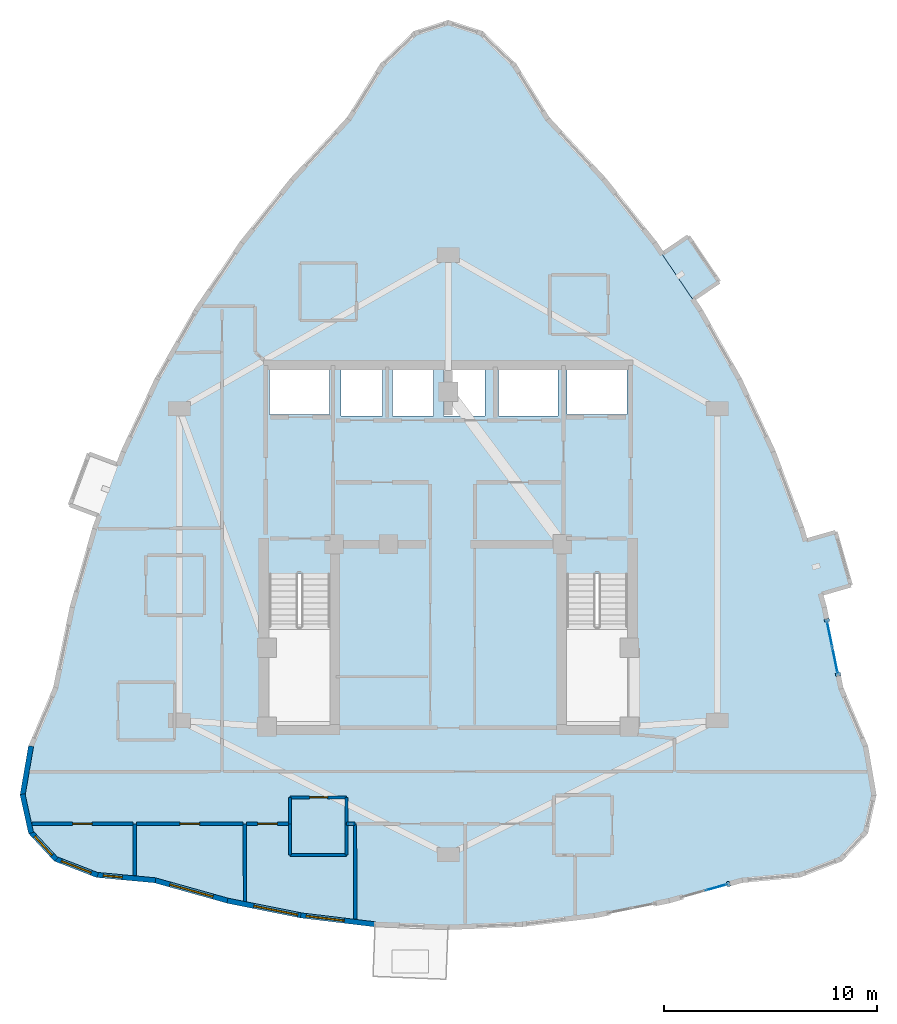
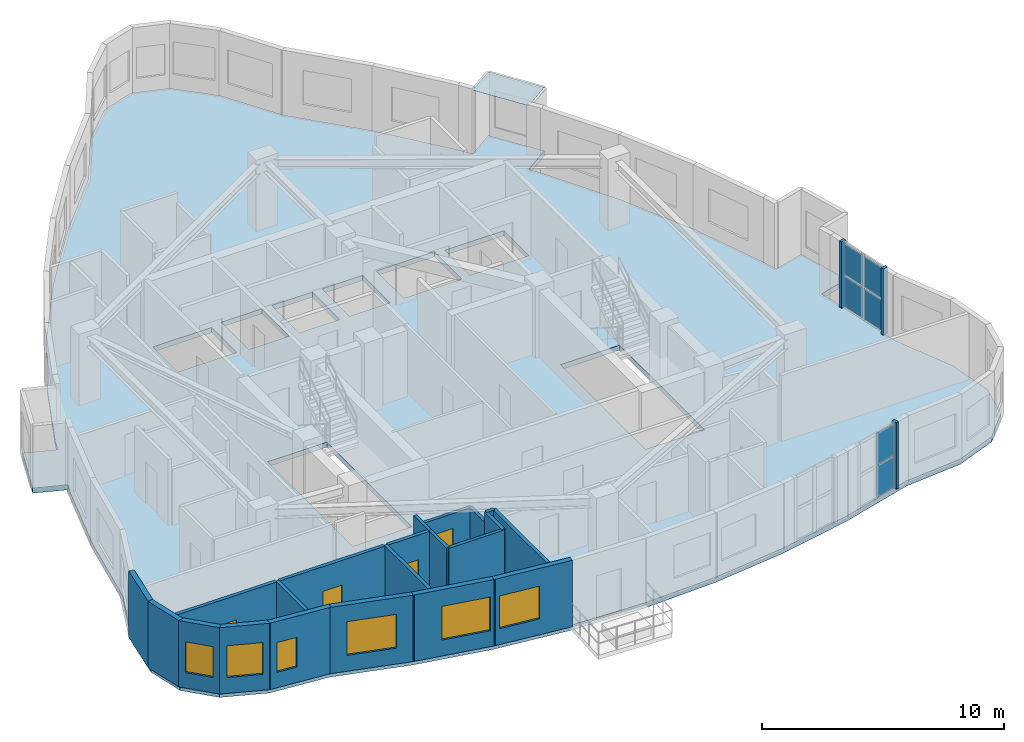
# One storey, part 9 of 15: 21 walls, 10 plates, 6 windows, 4 doors, 1 slab, 10 openings, 2 elements without a shape of their own.
"""IFC4 building model written with IfcOpenShell, lengths in metres."""

from ifc_helpers import new_model, si_unit, direction, frame, frame_2d, origin, origin_2d, place, context, subcontext, project, spatial, polyline, rectangle, outline, extrude, material, layer, layer_set, type_object, element, fill, aggregate, save


model = new_model("IFC4")

# Units and contexts
model_context = context("Model", 3, precision=1e-05, world=origin(), true_north=direction((0.0, 1.0)))
body_context = subcontext(model_context, "Body", "Model", "MODEL_VIEW")
ifc_project = project(units=[si_unit("LENGTHUNIT", "METRE"), si_unit("AREAUNIT", "SQUARE_METRE"), si_unit("VOLUMEUNIT", "CUBIC_METRE"), si_unit("PLANEANGLEUNIT", "RADIAN"), si_unit("MASSUNIT", "GRAM", prefix="KILO")], contexts=[model_context])

# Site, building, storey
site_placement = place(None, origin())
site = spatial("IfcSite", under=ifc_project, at=site_placement, CompositionType="ELEMENT")
building_placement = place(site_placement, origin())
building = spatial("IfcBuilding", under=site, at=building_placement, Name="Miruveldt Soraemaru", CompositionType="ELEMENT")
storey_placement = place(building_placement, frame((0.0, 0.0, 234.0)))
storey = spatial("IfcBuildingStorey", under=building, at=storey_placement, Name="L64", CompositionType="ELEMENT", Elevation=234.0)

# Curtain wall, plates
ifc_material_1 = material(Name="Anodised aluminium EN AW-6063 T6", Category="aluminium")
ifc_layer_1 = layer(ifc_material_1, 0.199951171875, Name="Anodised aluminium EN AW-6063 T6", Category="aluminium")
ifc_layer_set_1 = layer_set([ifc_layer_1], Name="Anodised aluminium EN AW-6063 T6")
curtain_wall_type = type_object("IfcCurtainWallType", Name="CW-SYS-3", PredefinedType="USERDEFINED", material=ifc_layer_set_1)
curtain_wall_1_placement = place(storey_placement, origin())
curtain_wall_1 = element("IfcCurtainWall", 1, at=curtain_wall_1_placement, inside=storey, type_object=curtain_wall_type, Name="L64 Curtain Wall Bay 28", ObjectType="UNITISED GLAZING", PredefinedType="USERDEFINED")
ifc_material_2 = material(Name="Triple low-e insulated glazing", Category="glass")
ifc_layer_2 = layer(ifc_material_2, 0.030029296875, Name="Triple low-e insulated glazing", Category="glass")
ifc_layer_set_2 = layer_set([ifc_layer_2], Name="Triple low-e insulated glazing")
plate_type_1 = type_object("IfcPlateType", Name="CWP-3", PredefinedType="CURTAIN_PANEL", material=ifc_layer_set_2)
plate_1_placement = place(storey_placement, frame((56.56298828125, 27.970947265625, 0.070068359375), z_axis=(0.0, 0.0, 1.0), x_axis=(0.962973169394, 0.269597245955, 0.0)))
plate_1 = element("IfcPlate", 2, at=plate_1_placement, type_object=plate_type_1, Name="CW-3 panel 2.1", PredefinedType="CURTAIN_PANEL", context=body_context, shape_type="SweptSolid", body=[
    extrude(rectangle(XDim=1.030029296875, YDim=0.030029296875, at=origin_2d()), origin(), (0.0, 0.0, 1.0), 1.5673828125),
])
plate_2_placement = place(storey_placement, frame((56.56298828125, 27.970947265625, 1.70751953125), z_axis=(0.0, 0.0, 1.0), x_axis=(0.962973169394, 0.269597245955, 0.0)))
plate_2 = element("IfcPlate", 3, at=plate_2_placement, type_object=plate_type_1, Name="CW-3 panel 2.2", PredefinedType="CURTAIN_PANEL", context=body_context, shape_type="SweptSolid", body=[
    extrude(rectangle(XDim=1.030029296875, YDim=0.030029296875, at=origin_2d()), origin(), (0.0, 0.0, 1.0), 1.5673828125),
])
aggregate(curtain_wall_1, [plate_1, plate_2])

curtain_wall_2_placement = place(storey_placement, origin())
curtain_wall_2 = element("IfcCurtainWall", 4, at=curtain_wall_2_placement, inside=storey, type_object=curtain_wall_type, Name="L64 Curtain Wall Bay 35", ObjectType="UNITISED GLAZING", PredefinedType="USERDEFINED")
plate_3_placement = place(storey_placement, frame((62.129150390625, 38.59814453125, 0.070068359375), z_axis=(0.0, 0.0, 1.0), x_axis=(-0.201580097948, 0.979472033348, 0.0)))
plate_3 = element("IfcPlate", 5, at=plate_3_placement, type_object=plate_type_1, Name="CW-3 panel 1.1", PredefinedType="CURTAIN_PANEL", context=body_context, shape_type="SweptSolid", body=[
    extrude(rectangle(XDim=1.193115234375, YDim=0.030029296875, at=origin_2d()), origin(), (0.0, 0.0, 1.0), 1.5673828125),
])
plate_4_placement = place(storey_placement, frame((62.129150390625, 38.59814453125, 1.70751953125), z_axis=(0.0, 0.0, 1.0), x_axis=(-0.201580097948, 0.979472033348, 0.0)))
plate_4 = element("IfcPlate", 6, at=plate_4_placement, type_object=plate_type_1, Name="CW-3 panel 1.2", PredefinedType="CURTAIN_PANEL", context=body_context, shape_type="SweptSolid", body=[
    extrude(rectangle(XDim=1.193115234375, YDim=0.030029296875, at=origin_2d()), origin(), (0.0, 0.0, 1.0), 1.5673828125),
])
plate_5_placement = place(storey_placement, frame((61.87451171875, 39.835205078125, 0.070068359375), z_axis=(0.0, 0.0, 1.0), x_axis=(-0.201580097948, 0.979472033348, 0.0)))
plate_5 = element("IfcPlate", 7, at=plate_5_placement, type_object=plate_type_1, Name="CW-3 panel 2.1", PredefinedType="CURTAIN_PANEL", context=body_context, shape_type="SweptSolid", body=[
    extrude(rectangle(XDim=1.193115234375, YDim=0.030029296875, at=origin_2d()), origin(), (0.0, 0.0, 1.0), 1.5673828125),
])
plate_6_placement = place(storey_placement, frame((61.87451171875, 39.835205078125, 1.70751953125), z_axis=(0.0, 0.0, 1.0), x_axis=(-0.201580097948, 0.979472033348, 0.0)))
plate_6 = element("IfcPlate", 8, at=plate_6_placement, type_object=plate_type_1, Name="CW-3 panel 2.2", PredefinedType="CURTAIN_PANEL", context=body_context, shape_type="SweptSolid", body=[
    extrude(rectangle(XDim=1.193115234375, YDim=0.030029296875, at=origin_2d()), origin(), (0.0, 0.0, 1.0), 1.5673828125),
])
aggregate(curtain_wall_2, [plate_3, plate_4, plate_5, plate_6])

# Plates
ifc_layer_3 = layer(ifc_material_1, 0.030029296875, Name="Anodised aluminium EN AW-6063 T6", Category="aluminium")
ifc_layer_set_3 = layer_set([ifc_layer_3], Name="Anodised aluminium EN AW-6063 T6")
plate_type_2 = type_object("IfcPlateType", Name="PLT-JAMB-30", PredefinedType="SHEET", material=ifc_layer_set_3)
for number, where, z_axis, x_axis, name in (
    (9, (57.12646484375, 28.128662109375, 0.0), (0.0, 0.0, 1.0), (0.962965179516, 0.269625783338, 0.0), "L64 Curtain Wall Jamb Closure Trim 28JR"),
    (10, (62.263427734375, 37.9453125, 0.0), (0.0, 0.0, 1.0), (-0.201573702956, 0.979473349447, 0.0), "L64 Curtain Wall Jamb Closure Trim 35JL"),
    (11, (61.740234375, 40.488037109375, 0.0), (0.0, 0.0, 1.0), (-0.201573702956, 0.979473349447, 0.0), "L64 Curtain Wall Jamb Closure Trim 35JR"),
):
    element("IfcPlate", number, at=place(storey_placement, frame(where, z_axis=z_axis, x_axis=x_axis)), inside=storey, type_object=plate_type_2, Name=name, PredefinedType="SHEET", context=body_context, shape_type="SweptSolid", body=[
        extrude(rectangle(XDim=0.139892578125, YDim=0.239990234375, at=origin_2d()), origin(), (0.0, 0.0, 1.0), 3.344970703125),
    ])
ifc_material_3 = material(Name="Standing-seam titanium-zinc sheet", Category="aluminium")
ifc_layer_4 = layer(ifc_material_3, 0.011962890625, Name="Standing-seam titanium-zinc sheet", Category="aluminium")
ifc_layer_set_4 = layer_set([ifc_layer_4], Name="Standing-seam titanium-zinc sheet")
plate_type_3 = type_object("IfcPlateType", Name="PLT-ZINC-12", PredefinedType="SHEET", material=ifc_layer_set_4)
plate_7_placement = place(storey_placement, frame((0.0, 0.0, 3.195068359375)))
element("IfcPlate", 12, at=plate_7_placement, inside=storey, type_object=plate_type_3, Name="L64 Bay Window Zinc Hood Sheet 2", PredefinedType="SHEET", context=body_context, shape_type="SweptSolid", body=[
    extrude(outline(polyline([(55.4609375, 55.5146484375), (54.019775390625, 57.642333984375), (55.2451171875, 58.472412109375), (56.686279296875, 56.3447265625), (55.4609375, 55.5146484375)])), origin(), (0.0, 0.0, 1.0), 0.011962890625),
])

# Slab
ifc_material_4 = material(Name="Concrete C40/50 (40 MPa)", Category="concrete")
ifc_layer_5 = layer(ifc_material_4, 0.2548828125, Name="Concrete C40/50 (40 MPa)", Category="concrete")
ifc_layer_set_5 = layer_set([ifc_layer_5], Name="Concrete C40/50 (40 MPa)")
slab_type = type_object("IfcSlabType", Name="SLAB-RES3-255", PredefinedType="FLOOR", material=ifc_layer_set_5)
slab_placement = place(storey_placement, frame((0.0, 0.0, -0.2548828125)))
element("IfcSlab", 13, at=slab_placement, inside=storey, type_object=slab_type, Name="L64 Structural Floor Slab", PredefinedType="FLOOR", context=body_context, shape_type="SweptSolid", body=[
    extrude(outline(polyline([(62.1484375, 44.62109375), (62.86328125, 42.121337890625), (61.4404296875, 41.71435546875), (61.609130859375, 41.124755859375), (62.39453125, 37.30859375), (63.554931640625, 34.55712890625), (63.941650390625, 32.30615234375), (63.554931640625, 30.55517578125), (62.39453125, 29.304443359375), (60.46044921875, 28.55419921875), (57.752685546875, 28.303955078125), (54.314453125, 27.34130859375), (50.876220703125, 26.65380859375), (47.438232421875, 26.2412109375), (44.0, 26.103515625), (40.561767578125, 26.2412109375), (37.123779296875, 26.65380859375), (33.685546875, 27.34130859375), (30.247314453125, 28.303955078125), (27.53955078125, 28.55419921875), (25.60546875, 29.304443359375), (24.445068359375, 30.55517578125), (24.058349609375, 32.30615234375), (24.445068359375, 34.55712890625), (25.60546875, 37.30859375), (26.390869140625, 41.124755859375), (27.443115234375, 44.803466796875), (28.1025390625, 46.57421875), (27.65380859375, 45.369873046875), (26.26708984375, 45.886474609375), (27.1640625, 48.294921875), (28.55078125, 47.7783203125), (28.761962890625, 48.344482421875), (30.34765625, 51.748291015625), (32.199951171875, 55.014404296875), (34.3193359375, 58.142822265625), (36.705322265625, 61.1337890625), (39.358154296875, 63.9873046875), (40.905517578125, 66.48876953125), (42.45263671875, 67.989501953125), (44.0, 68.48974609375), (45.54736328125, 67.989501953125), (47.094482421875, 66.48876953125), (48.641845703125, 63.9873046875), (51.294677734375, 61.1337890625), (53.6806640625, 58.142822265625), (54.740234375, 56.57861328125), (54.019775390625, 57.642333984375), (55.2451171875, 58.472412109375), (56.686279296875, 56.3447265625), (55.4609375, 55.5146484375), (55.800048828125, 55.014404296875), (57.65234375, 51.748291015625), (59.238037109375, 48.344482421875), (60.556884765625, 44.803466796875), (60.7255859375, 44.214111328125), (62.1484375, 44.62109375)]), holes=[polyline([(35.614990234375, 35.6650390625), (38.43505859375, 35.6650390625), (38.43505859375, 42.68505859375), (35.614990234375, 42.68505859375), (35.614990234375, 35.6650390625)]), polyline([(49.56494140625, 35.6650390625), (52.385009765625, 35.6650390625), (52.385009765625, 42.68505859375), (49.56494140625, 42.68505859375), (49.56494140625, 35.6650390625)]), polyline([(38.445068359375, 50.135009765625), (38.445068359375, 52.205078125), (35.635009765625, 52.205078125), (35.635009765625, 50.135009765625), (38.445068359375, 50.135009765625)]), polyline([(52.364990234375, 50.135009765625), (52.364990234375, 52.205078125), (49.554931640625, 52.205078125), (49.554931640625, 50.135009765625), (52.364990234375, 50.135009765625)]), polyline([(40.9150390625, 50.06494140625), (40.9150390625, 52.3349609375), (38.985107421875, 52.3349609375), (38.985107421875, 50.06494140625), (40.9150390625, 50.06494140625)]), polyline([(43.31494140625, 50.06494140625), (43.31494140625, 52.3349609375), (41.385009765625, 52.3349609375), (41.385009765625, 50.06494140625), (43.31494140625, 50.06494140625)]), polyline([(45.715087890625, 50.06494140625), (45.715087890625, 52.3349609375), (43.784912109375, 52.3349609375), (43.784912109375, 50.06494140625), (45.715087890625, 50.06494140625)]), polyline([(49.135009765625, 50.06494140625), (49.135009765625, 52.3349609375), (46.364990234375, 52.3349609375), (46.364990234375, 50.06494140625), (49.135009765625, 50.06494140625)])]), origin(), (0.0, 0.0, 1.0), 0.2548828125),
])

# Walls
ifc_material_5 = material(Name="Precast concrete C45/55 (45 MPa)", Category="concrete")
ifc_layer_6 = layer(ifc_material_5, 0.239990234375, Name="Precast concrete C45/55 (45 MPa)", Category="concrete")
ifc_layer_set_6 = layer_set([ifc_layer_6], Name="Precast concrete C45/55 (45 MPa)")
wall_type_1 = type_object("IfcWallType", Name="WALL-EXT-PC240", PredefinedType="SOLIDWALL", material=ifc_layer_set_6)
wall_1_placement = place(storey_placement, frame((24.450927734375, 34.591796875, 0.0), z_axis=(0.0, 0.0, 1.0), x_axis=(-0.169240125324, -0.985574847477, 0.0)))
element("IfcWall", 14, at=wall_1_placement, inside=storey, type_object=wall_type_1, Name="L64 Precast Concrete Facade Wall 16", PredefinedType="SOLIDWALL", context=body_context, shape_type="SweptSolid", body=[
    extrude(rectangle(XDim=2.354248046875, YDim=0.239990234375, at=frame_2d((1.17724609375, 0.0))), origin(), (0.0, 0.0, 1.0), 3.344970703125),
])
wall_2_placement = place(storey_placement, frame((24.05078125, 32.34033203125, 0.0), z_axis=(0.0, 0.0, 1.0), x_axis=(0.215681605484, -0.976463744875, 0.0)))
element("IfcWall", 15, at=wall_2_placement, inside=storey, type_object=wall_type_1, Name="L64 Precast Concrete Facade Wall 17", PredefinedType="SOLIDWALL", context=body_context, shape_type="SweptSolid", body=[
    extrude(rectangle(XDim=1.86328125, YDim=0.239990234375, at=frame_2d((0.931640625, 0.0))), origin(), (0.0, 0.0, 1.0), 3.344970703125),
])

# Wall, opening, window
wall_3_placement = place(storey_placement, frame((24.42138671875, 30.580810546875, 0.0), z_axis=(0.0, 0.0, 1.0), x_axis=(0.680150513849, -0.733072491989, 0.0)))
wall_3 = element("IfcWall", 16, at=wall_3_placement, inside=storey, type_object=wall_type_1, Name="L64 Precast Concrete Facade Wall 18", PredefinedType="SOLIDWALL", context=body_context, shape_type="SweptSolid", body=[
    extrude(rectangle(XDim=1.776123046875, YDim=0.239990234375, at=frame_2d((0.88818359375, 0.0))), origin(), (0.0, 0.0, 1.0), 3.344970703125),
])
opening_1_placement = place(wall_3_placement, frame((0.29296875, 0.0, 0.780029296875)))
opening_1 = element("IfcOpeningElement", 17, at=opening_1_placement, cuts=wall_3, Name="Opening WN-4", PredefinedType="OPENING", context=body_context, shape_type="SweptSolid", body=[
    extrude(rectangle(XDim=1.199951171875, YDim=1.550048828125, at=frame_2d((0.60009765625, 0.77490234375))), frame((0.0, 0.1298828125, 0.0), z_axis=(0.0, -1.0, 0.0), x_axis=(1.0, 0.0, 0.0)), (0.0, 0.0, 1.0), 0.260009765625),
])
window_type_1 = type_object("IfcWindowType", Name="WIN-PUNCH-1200x1550", PartitioningType="SINGLE_PANEL", PredefinedType="WINDOW", material=ifc_material_2)
window_1_placement = place(opening_1_placement, origin())
window_1 = element("IfcWindow", 18, at=window_1_placement, inside=storey, type_object=window_type_1, Name="L64 Punched Triple-Glazed Window 18.1", OverallHeight=1.550048828125, OverallWidth=1.199951171875, PartitioningType="SINGLE_PANEL", PredefinedType="WINDOW", context=body_context, shape_type="SweptSolid", body=[
    extrude(rectangle(XDim=1.199951171875, YDim=1.550048828125, at=frame_2d((0.60009765625, 0.77490234375))), frame((0.0, 0.030029296875, 0.0), z_axis=(0.0, -1.0, 0.0), x_axis=(1.0, 0.0, 0.0)), (0.0, 0.0, 1.0), 0.06005859375),
])
fill(opening_1, window_1)

wall_4_placement = place(storey_placement, frame((25.572998046875, 29.317138671875, 0.0), z_axis=(0.0, 0.0, 1.0), x_axis=(0.932297074695, -0.361693467616, 0.0)))
wall_4 = element("IfcWall", 19, at=wall_4_placement, inside=storey, type_object=wall_type_1, Name="L64 Precast Concrete Facade Wall 19", PredefinedType="SOLIDWALL", context=body_context, shape_type="SweptSolid", body=[
    extrude(rectangle(XDim=2.14453125, YDim=0.239990234375, at=frame_2d((1.072265625, 0.0))), origin(), (0.0, 0.0, 1.0), 3.344970703125),
])
opening_2_placement = place(wall_4_placement, frame((0.322998046875, 0.0, 0.800048828125)))
opening_2 = element("IfcOpeningElement", 20, at=opening_2_placement, cuts=wall_4, Name="Opening WN-3", PredefinedType="OPENING", context=body_context, shape_type="SweptSolid", body=[
    extrude(rectangle(XDim=1.5, YDim=1.60009765625, at=frame_2d((0.75, 0.800048828125))), frame((0.0, 0.1298828125, 0.0), z_axis=(0.0, -1.0, 0.0), x_axis=(1.0, 0.0, 0.0)), (0.0, 0.0, 1.0), 0.260009765625),
])
window_type_2 = type_object("IfcWindowType", Name="WIN-PUNCH-1500x1600", PartitioningType="SINGLE_PANEL", PredefinedType="WINDOW", material=ifc_material_2)
window_2_placement = place(opening_2_placement, origin())
window_2 = element("IfcWindow", 21, at=window_2_placement, inside=storey, type_object=window_type_2, Name="L64 Punched Triple-Glazed Window 19.1", OverallHeight=1.60009765625, OverallWidth=1.5, PartitioningType="SINGLE_PANEL", PredefinedType="WINDOW", context=body_context, shape_type="SweptSolid", body=[
    extrude(rectangle(XDim=1.5, YDim=1.60009765625, at=frame_2d((0.75, 0.800048828125))), frame((0.0, 0.030029296875, 0.0), z_axis=(0.0, -1.0, 0.0), x_axis=(1.0, 0.0, 0.0)), (0.0, 0.0, 1.0), 0.06005859375),
])
fill(opening_2, window_2)

wall_5_placement = place(storey_placement, frame((27.504638671875, 28.557373046875, 0.0), z_axis=(0.0, 0.0, 1.0), x_axis=(0.995760144558, -0.09198768673, 0.0)))
wall_5 = element("IfcWall", 22, at=wall_5_placement, inside=storey, type_object=wall_type_1, Name="L64 Precast Concrete Facade Wall 20", PredefinedType="SOLIDWALL", context=body_context, shape_type="SweptSolid", body=[
    extrude(rectangle(XDim=2.789306640625, YDim=0.239990234375, at=frame_2d((1.39453125, 0.0))), origin(), (0.0, 0.0, 1.0), 3.344970703125),
])
opening_3_placement = place(wall_5_placement, frame((0.3291015625, 0.0, 0.780029296875)))
opening_3 = element("IfcOpeningElement", 23, at=opening_3_placement, cuts=wall_5, Name="Opening WN-7", PredefinedType="OPENING", context=body_context, shape_type="SweptSolid", body=[
    extrude(rectangle(XDim=0.89990234375, YDim=1.5, at=frame_2d((0.449951171875, 0.75))), frame((0.0, 0.1298828125, 0.0), z_axis=(0.0, -1.0, 0.0), x_axis=(1.0, 0.0, 0.0)), (0.0, 0.0, 1.0), 0.260009765625),
])
window_type_3 = type_object("IfcWindowType", Name="WIN-PUNCH-900x1500", PartitioningType="SINGLE_PANEL", PredefinedType="WINDOW", material=ifc_material_2)
window_3_placement = place(opening_3_placement, origin())
window_3 = element("IfcWindow", 24, at=window_3_placement, inside=storey, type_object=window_type_3, Name="L64 Punched Triple-Glazed Window 20.1", OverallHeight=1.5, OverallWidth=0.89990234375, PartitioningType="SINGLE_PANEL", PredefinedType="WINDOW", context=body_context, shape_type="SweptSolid", body=[
    extrude(rectangle(XDim=0.89990234375, YDim=1.5, at=frame_2d((0.449951171875, 0.75))), frame((0.0, 0.030029296875, 0.0), z_axis=(0.0, -1.0, 0.0), x_axis=(1.0, 0.0, 0.0)), (0.0, 0.0, 1.0), 0.06005859375),
])
fill(opening_3, window_3)

wall_6_placement = place(storey_placement, frame((30.213623046875, 28.3134765625, 0.0), z_axis=(0.0, 0.0, 1.0), x_axis=(0.962955661269, -0.26965977533, 0.0)))
wall_6 = element("IfcWall", 25, at=wall_6_placement, inside=storey, type_object=wall_type_1, Name="L64 Precast Concrete Facade Wall 21", PredefinedType="SOLIDWALL", context=body_context, shape_type="SweptSolid", body=[
    extrude(rectangle(XDim=3.640380859375, YDim=0.239990234375, at=frame_2d((1.8203125, 0.0))), origin(), (0.0, 0.0, 1.0), 3.344970703125),
])
opening_4_placement = place(wall_6_placement, frame((0.77001953125, 0.0, 0.800048828125)))
opening_4 = element("IfcOpeningElement", 26, at=opening_4_placement, cuts=wall_6, Name="Opening WN-1", PredefinedType="OPENING", context=body_context, shape_type="SweptSolid", body=[
    extrude(rectangle(XDim=2.10009765625, YDim=1.699951171875, at=frame_2d((1.050048828125, 0.85009765625))), frame((0.0, 0.1298828125, 0.0), z_axis=(0.0, -1.0, 0.0), x_axis=(1.0, 0.0, 0.0)), (0.0, 0.0, 1.0), 0.260009765625),
])
window_type_4 = type_object("IfcWindowType", Name="WIN-PUNCH-2100x1700", PartitioningType="SINGLE_PANEL", PredefinedType="WINDOW", material=ifc_material_2)
window_4_placement = place(opening_4_placement, origin())
window_4 = element("IfcWindow", 27, at=window_4_placement, inside=storey, type_object=window_type_4, Name="L64 Punched Triple-Glazed Window 21.1", OverallHeight=1.699951171875, OverallWidth=2.10009765625, PartitioningType="SINGLE_PANEL", PredefinedType="WINDOW", context=body_context, shape_type="SweptSolid", body=[
    extrude(rectangle(XDim=2.10009765625, YDim=1.699951171875, at=frame_2d((1.050048828125, 0.85009765625))), frame((0.0, 0.030029296875, 0.0), z_axis=(0.0, -1.0, 0.0), x_axis=(1.0, 0.0, 0.0)), (0.0, 0.0, 1.0), 0.06005859375),
])
fill(opening_4, window_4)

wall_7_placement = place(storey_placement, frame((33.651123046875, 27.34814453125, 0.0), z_axis=(0.0, 0.0, 1.0), x_axis=(0.980578049974, -0.196129263267, 0.0)))
wall_7 = element("IfcWall", 28, at=wall_7_placement, inside=storey, type_object=wall_type_1, Name="L64 Precast Concrete Facade Wall 22", PredefinedType="SOLIDWALL", context=body_context, shape_type="SweptSolid", body=[
    extrude(rectangle(XDim=3.576416015625, YDim=0.239990234375, at=frame_2d((1.7880859375, 0.0))), origin(), (0.0, 0.0, 1.0), 3.344970703125),
])
opening_5_placement = place(wall_7_placement, frame((1.26611328125, 0.0, 0.800048828125)))
opening_5 = element("IfcOpeningElement", 29, at=opening_5_placement, cuts=wall_7, Name="Opening WN-1", PredefinedType="OPENING", context=body_context, shape_type="SweptSolid", body=[
    extrude(rectangle(XDim=2.10009765625, YDim=1.699951171875, at=frame_2d((1.050048828125, 0.85009765625))), frame((0.0, 0.1298828125, 0.0), z_axis=(0.0, -1.0, 0.0), x_axis=(1.0, 0.0, 0.0)), (0.0, 0.0, 1.0), 0.260009765625),
])
window_5_placement = place(opening_5_placement, origin())
window_5 = element("IfcWindow", 30, at=window_5_placement, inside=storey, type_object=window_type_4, Name="L64 Punched Triple-Glazed Window 22.1", OverallHeight=1.699951171875, OverallWidth=2.10009765625, PartitioningType="SINGLE_PANEL", PredefinedType="WINDOW", context=body_context, shape_type="SweptSolid", body=[
    extrude(rectangle(XDim=2.10009765625, YDim=1.699951171875, at=frame_2d((1.050048828125, 0.85009765625))), frame((0.0, 0.030029296875, 0.0), z_axis=(0.0, -1.0, 0.0), x_axis=(1.0, 0.0, 0.0)), (0.0, 0.0, 1.0), 0.06005859375),
])
fill(opening_5, window_5)

wall_8_placement = place(storey_placement, frame((37.0888671875, 26.657958984375, 0.0), z_axis=(0.0, 0.0, 1.0), x_axis=(0.992869970149, -0.119202442825, 0.0)))
wall_8 = element("IfcWall", 31, at=wall_8_placement, inside=storey, type_object=wall_type_1, Name="L64 Precast Concrete Facade Wall 23", PredefinedType="SOLIDWALL", context=body_context, shape_type="SweptSolid", body=[
    extrude(rectangle(XDim=3.532958984375, YDim=0.239990234375, at=frame_2d((1.7666015625, 0.0))), origin(), (0.0, 0.0, 1.0), 3.344970703125),
])
opening_6_placement = place(wall_8_placement, frame((0.2548828125, 0.0, 0.800048828125)))
opening_6 = element("IfcOpeningElement", 32, at=opening_6_placement, cuts=wall_8, Name="Opening WN-2", PredefinedType="OPENING", context=body_context, shape_type="SweptSolid", body=[
    extrude(rectangle(XDim=1.800048828125, YDim=1.64990234375, at=frame_2d((0.89990234375, 0.824951171875))), frame((0.0, 0.1298828125, 0.0), z_axis=(0.0, -1.0, 0.0), x_axis=(1.0, 0.0, 0.0)), (0.0, 0.0, 1.0), 0.260009765625),
])
window_type_5 = type_object("IfcWindowType", Name="WIN-PUNCH-1800x1650", PartitioningType="SINGLE_PANEL", PredefinedType="WINDOW", material=ifc_material_2)
window_6_placement = place(opening_6_placement, origin())
window_6 = element("IfcWindow", 33, at=window_6_placement, inside=storey, type_object=window_type_5, Name="L64 Punched Triple-Glazed Window 23.1", OverallHeight=1.64990234375, OverallWidth=1.800048828125, PartitioningType="SINGLE_PANEL", PredefinedType="WINDOW", context=body_context, shape_type="SweptSolid", body=[
    extrude(rectangle(XDim=1.800048828125, YDim=1.64990234375, at=frame_2d((0.89990234375, 0.824951171875))), frame((0.0, 0.030029296875, 0.0), z_axis=(0.0, -1.0, 0.0), x_axis=(1.0, 0.0, 0.0)), (0.0, 0.0, 1.0), 0.06005859375),
])
fill(opening_6, window_6)

# Wall, opening, door
ifc_material_6 = material(Name="Gypsum plasterboard lining", Category="gypsum")
ifc_layer_7 = layer(ifc_material_6, 0.14990234375, Name="Gypsum plasterboard lining", Category="gypsum")
ifc_layer_set_7 = layer_set([ifc_layer_7], Name="Gypsum plasterboard lining")
wall_type_2 = type_object("IfcWallType", Name="WALL-INT-PLUMB", PredefinedType="PLUMBINGWALL", material=ifc_layer_set_7)
wall_9_placement = place(storey_placement, frame((39.238037109375, 32.18603515625, 0.0), z_axis=(0.0, 0.0, 1.0), x_axis=(-1.0, 0.0, 0.0)))
wall_9 = element("IfcWall", 34, at=wall_9_placement, inside=storey, type_object=wall_type_2, Name="L64 Partition Wall 12", PredefinedType="PLUMBINGWALL", context=body_context, shape_type="SweptSolid", body=[
    extrude(rectangle(XDim=2.650146484375, YDim=0.14990234375, at=frame_2d((1.3251953125, 0.0))), origin(), (0.0, 0.0, 1.0), 2.844970703125),
])
opening_7_placement = place(wall_9_placement, frame((0.885009765625, 0.0, 0.0)))
opening_7 = element("IfcOpeningElement", 35, at=opening_7_placement, cuts=wall_9, Name="Opening FD3", PredefinedType="OPENING", context=body_context, shape_type="SweptSolid", body=[
    extrude(rectangle(XDim=0.85009765625, YDim=2.10009765625, at=frame_2d((0.425048828125, 1.050048828125))), frame((0.0, 0.0849609375, 0.0), z_axis=(0.0, -1.0, 0.0), x_axis=(1.0, 0.0, 0.0)), (0.0, 0.0, 1.0), 0.169921875),
])
door_type_1 = type_object("IfcDoorType", Name="DOOR-FD3-850", OperationType="NOTDEFINED", PredefinedType="DOOR", material=ifc_material_1)
door_1_placement = place(opening_7_placement, origin())
door_1 = element("IfcDoor", 36, at=door_1_placement, inside=storey, type_object=door_type_1, Name="L64 Unit 6401 BTH Door", OperationType="SINGLE_SWING_LEFT", OverallHeight=2.10009765625, OverallWidth=0.85009765625, PredefinedType="DOOR", context=body_context, shape_type="SweptSolid", body=[
    extrude(rectangle(XDim=0.85009765625, YDim=2.10009765625, at=frame_2d((0.425048828125, 1.050048828125))), frame((0.0, 0.02490234375, 0.0), z_axis=(0.0, -1.0, 0.0), x_axis=(1.0, 0.0, 0.0)), (0.0, 0.0, 1.0), 0.050048828125),
])
fill(opening_7, door_1)

# Walls
wall_10_placement = place(storey_placement, frame((36.587890625, 29.486083984375, 0.0), z_axis=(0.0, 0.0, 1.0), x_axis=(1.0, 0.0, 0.0)))
element("IfcWall", 37, at=wall_10_placement, inside=storey, type_object=wall_type_2, Name="L64 Partition Wall 27", PredefinedType="PLUMBINGWALL", context=body_context, shape_type="SweptSolid", body=[
    extrude(rectangle(XDim=2.650146484375, YDim=0.14990234375, at=frame_2d((1.3251953125, 0.0))), origin(), (0.0, 0.0, 1.0), 3.344970703125),
])
for number, where, z_axis, x_axis, name in (
    (38, (36.587890625, 30.949951171875, 0.0), (0.0, 0.0, 1.0), (0.0, -1.0, 0.0), "L64 Partition Wall 26"),
    (39, (39.238037109375, 29.486083984375, 0.0), (0.0, 0.0, 1.0), (0.0, 1.0, 0.0), "L64 Partition Wall 28"),
):
    element("IfcWall", number, at=place(storey_placement, frame(where, z_axis=z_axis, x_axis=x_axis)), inside=storey, type_object=wall_type_2, Name=name, PredefinedType="PLUMBINGWALL", context=body_context, shape_type="SweptSolid", body=[
        extrude(rectangle(XDim=1.4638671875, YDim=0.14990234375, at=frame_2d((0.73193359375, 0.0))), origin(), (0.0, 0.0, 1.0), 3.344970703125),
    ])
wall_11_placement = place(storey_placement, frame((39.238037109375, 30.949951171875, 0.0), z_axis=(0.0, 0.0, 1.0), x_axis=(0.0, 1.0, 0.0)))
element("IfcWall", 40, at=wall_11_placement, inside=storey, type_object=wall_type_2, Name="L64 Partition Wall 11", PredefinedType="PLUMBINGWALL", context=body_context, shape_type="SweptSolid", body=[
    extrude(rectangle(XDim=1.236083984375, YDim=0.14990234375, at=frame_2d((0.6181640625, 0.0))), origin(), (0.0, 0.0, 1.0), 2.844970703125),
])
wall_12_placement = place(storey_placement, frame((36.587890625, 32.18603515625, 0.0), z_axis=(0.0, 0.0, 1.0), x_axis=(0.0, -1.0, 0.0)))
element("IfcWall", 41, at=wall_12_placement, inside=storey, type_object=wall_type_2, Name="L64 Partition Wall 13", PredefinedType="PLUMBINGWALL", context=body_context, shape_type="SweptSolid", body=[
    extrude(rectangle(XDim=1.236083984375, YDim=0.14990234375, at=frame_2d((0.6181640625, 0.0))), origin(), (0.0, 0.0, 1.0), 3.344970703125),
])

# Wall, opening, door
ifc_layer_8 = layer(ifc_material_4, 0.159912109375, Name="Concrete C40/50 (40 MPa)", Category="concrete")
ifc_layer_set_8 = layer_set([ifc_layer_8], Name="Concrete C40/50 (40 MPa)")
wall_type_3 = type_object("IfcWallType", Name="WALL-INT-RC160", PredefinedType="SOLIDWALL", material=ifc_layer_set_8)
wall_13_placement = place(storey_placement, frame((29.383056640625, 30.949951171875, 0.0), z_axis=(0.0, 0.0, 1.0), x_axis=(1.0, 0.0, 0.0)))
wall_13 = element("IfcWall", 42, at=wall_13_placement, inside=storey, type_object=wall_type_3, Name="L64 Partition Wall 19", PredefinedType="SOLIDWALL", context=body_context, shape_type="SweptSolid", body=[
    extrude(rectangle(XDim=5.00390625, YDim=0.159912109375, at=frame_2d((2.501953125, 0.0))), origin(), (0.0, 0.0, 1.0), 3.344970703125),
])
opening_8_placement = place(wall_13_placement, frame((2.0419921875, 0.0, 0.0)))
opening_8 = element("IfcOpeningElement", 43, at=opening_8_placement, cuts=wall_13, Name="Opening D3A", PredefinedType="OPENING", context=body_context, shape_type="SweptSolid", body=[
    extrude(rectangle(XDim=0.919921875, YDim=2.10009765625, at=frame_2d((0.4599609375, 1.050048828125))), frame((0.0, 0.08984375, 0.0), z_axis=(0.0, -1.0, 0.0), x_axis=(1.0, 0.0, 0.0)), (0.0, 0.0, 1.0), 0.179931640625),
])
door_type_2 = type_object("IfcDoorType", Name="DOOR-INT-920", OperationType="NOTDEFINED", PredefinedType="DOOR", material=ifc_material_1)
door_2_placement = place(opening_8_placement, origin())
door_2 = element("IfcDoor", 44, at=door_2_placement, inside=storey, type_object=door_type_2, Name="L64 Unit 6401 BD2 Door", OperationType="SINGLE_SWING_RIGHT", OverallHeight=2.10009765625, OverallWidth=0.919921875, PredefinedType="DOOR", context=body_context, shape_type="SweptSolid", body=[
    extrude(rectangle(XDim=0.919921875, YDim=2.10009765625, at=frame_2d((0.4599609375, 1.050048828125))), frame((0.0, 0.02490234375, 0.0), z_axis=(0.0, -1.0, 0.0), x_axis=(1.0, 0.0, 0.0)), (0.0, 0.0, 1.0), 0.050048828125),
])
fill(opening_8, door_2)

wall_14_placement = place(storey_placement, frame((24.493896484375, 30.9619140625, 0.0), z_axis=(0.0, 0.0, 1.0), x_axis=(0.999996800362, -0.002529676986, 0.0)))
wall_14 = element("IfcWall", 45, at=wall_14_placement, inside=storey, type_object=wall_type_3, Name="L64 Partition Wall 18", PredefinedType="SOLIDWALL", context=body_context, shape_type="SweptSolid", body=[
    extrude(rectangle(XDim=4.72900390625, YDim=0.159912109375, at=frame_2d((2.364501953125, 0.0))), origin(), (0.0, 0.0, 1.0), 3.344970703125),
])
opening_9_placement = place(wall_14_placement, frame((1.905029296875, 0.0, 0.0)))
opening_9 = element("IfcOpeningElement", 46, at=opening_9_placement, cuts=wall_14, Name="Opening D3A", PredefinedType="OPENING", context=body_context, shape_type="SweptSolid", body=[
    extrude(rectangle(XDim=0.919921875, YDim=2.10009765625, at=frame_2d((0.4599609375, 1.050048828125))), frame((0.0, 0.08984375, 0.0), z_axis=(0.0, -1.0, 0.0), x_axis=(1.0, 0.0, 0.0)), (0.0, 0.0, 1.0), 0.179931640625),
])
door_3_placement = place(opening_9_placement, origin())
door_3 = element("IfcDoor", 47, at=door_3_placement, inside=storey, type_object=door_type_2, Name="L64 Unit 6401 BD1 Door", OperationType="SINGLE_SWING_LEFT", OverallHeight=2.10009765625, OverallWidth=0.919921875, PredefinedType="DOOR", context=body_context, shape_type="SweptSolid", body=[
    extrude(rectangle(XDim=0.919921875, YDim=2.10009765625, at=frame_2d((0.4599609375, 1.050048828125))), frame((0.0, 0.02490234375, 0.0), z_axis=(0.0, -1.0, 0.0), x_axis=(1.0, 0.0, 0.0)), (0.0, 0.0, 1.0), 0.050048828125),
])
fill(opening_9, door_3)

wall_15_placement = place(storey_placement, frame((34.547119140625, 30.949951171875, 0.0), z_axis=(0.0, 0.0, 1.0), x_axis=(1.0, 0.0, 0.0)))
wall_15 = element("IfcWall", 48, at=wall_15_placement, inside=storey, type_object=wall_type_3, Name="L64 Partition Wall 20", PredefinedType="SOLIDWALL", context=body_context, shape_type="SweptSolid", body=[
    extrude(rectangle(XDim=1.9609375, YDim=0.159912109375, at=frame_2d((0.98046875, 0.0))), origin(), (0.0, 0.0, 1.0), 3.344970703125),
])
opening_10_placement = place(wall_15_placement, frame((0.52099609375, 0.0, 0.0)))
opening_10 = element("IfcOpeningElement", 49, at=opening_10_placement, cuts=wall_15, Name="Opening D3A", PredefinedType="OPENING", context=body_context, shape_type="SweptSolid", body=[
    extrude(rectangle(XDim=0.919921875, YDim=2.10009765625, at=frame_2d((0.4599609375, 1.050048828125))), frame((0.0, 0.08984375, 0.0), z_axis=(0.0, -1.0, 0.0), x_axis=(1.0, 0.0, 0.0)), (0.0, 0.0, 1.0), 0.179931640625),
])
door_4_placement = place(opening_10_placement, origin())
door_4 = element("IfcDoor", 50, at=door_4_placement, inside=storey, type_object=door_type_2, Name="L64 Unit 6401 BD3 Door", OperationType="SINGLE_SWING_LEFT", OverallHeight=2.10009765625, OverallWidth=0.919921875, PredefinedType="DOOR", context=body_context, shape_type="SweptSolid", body=[
    extrude(rectangle(XDim=0.919921875, YDim=2.10009765625, at=frame_2d((0.4599609375, 1.050048828125))), frame((0.0, 0.02490234375, 0.0), z_axis=(0.0, -1.0, 0.0), x_axis=(1.0, 0.0, 0.0)), (0.0, 0.0, 1.0), 0.050048828125),
])
fill(opening_10, door_4)

# Walls
wall_16_placement = place(storey_placement, frame((39.637939453125, 26.488037109375, 0.0), z_axis=(0.0, 0.0, 1.0), x_axis=(-0.001532062111, 0.999998826392, 0.0)))
element("IfcWall", 51, at=wall_16_placement, inside=storey, type_object=wall_type_3, Name="L64 Partition Wall 33", PredefinedType="SOLIDWALL", context=body_context, shape_type="SweptSolid", body=[
    extrude(rectangle(XDim=4.4619140625, YDim=0.159912109375, at=frame_2d((2.23095703125, 0.0))), origin(), (0.0, 0.0, 1.0), 3.344970703125),
])
wall_17_placement = place(storey_placement, frame((34.47802734375, 27.321044921875, 0.0), z_axis=(0.0, 0.0, 1.0), x_axis=(-0.003027434996, 0.999995417308, 0.0)))
element("IfcWall", 52, at=wall_17_placement, inside=storey, type_object=wall_type_3, Name="L64 Partition Wall 32", PredefinedType="SOLIDWALL", context=body_context, shape_type="SweptSolid", body=[
    extrude(rectangle(XDim=3.62890625, YDim=0.159912109375, at=frame_2d((1.814453125, 0.0))), origin(), (0.0, 0.0, 1.0), 3.344970703125),
])
wall_18_placement = place(storey_placement, frame((29.30810546875, 28.52587890625, 0.0), z_axis=(0.0, 0.0, 1.0), x_axis=(-0.002115011887, 0.99999776336, 0.0)))
element("IfcWall", 53, at=wall_18_placement, inside=storey, type_object=wall_type_3, Name="L64 Partition Wall 31", PredefinedType="SOLIDWALL", context=body_context, shape_type="SweptSolid", body=[
    extrude(rectangle(XDim=2.424072265625, YDim=0.159912109375, at=frame_2d((1.2119140625, 0.0))), origin(), (0.0, 0.0, 1.0), 3.344970703125),
])
wall_19_placement = place(storey_placement, frame((39.238037109375, 30.949951171875, 0.0), z_axis=(0.0, 0.0, 1.0), x_axis=(1.0, 0.0, 0.0)))
element("IfcWall", 54, at=wall_19_placement, inside=storey, type_object=wall_type_3, Name="L64 Partition Wall 53", PredefinedType="SOLIDWALL", context=body_context, shape_type="SweptSolid", body=[
    extrude(rectangle(XDim=0.39306640625, YDim=0.159912109375, at=frame_2d((0.196533203125, 0.0))), origin(), (0.0, 0.0, 1.0), 3.344970703125),
])

save(model, "model.ifc")
